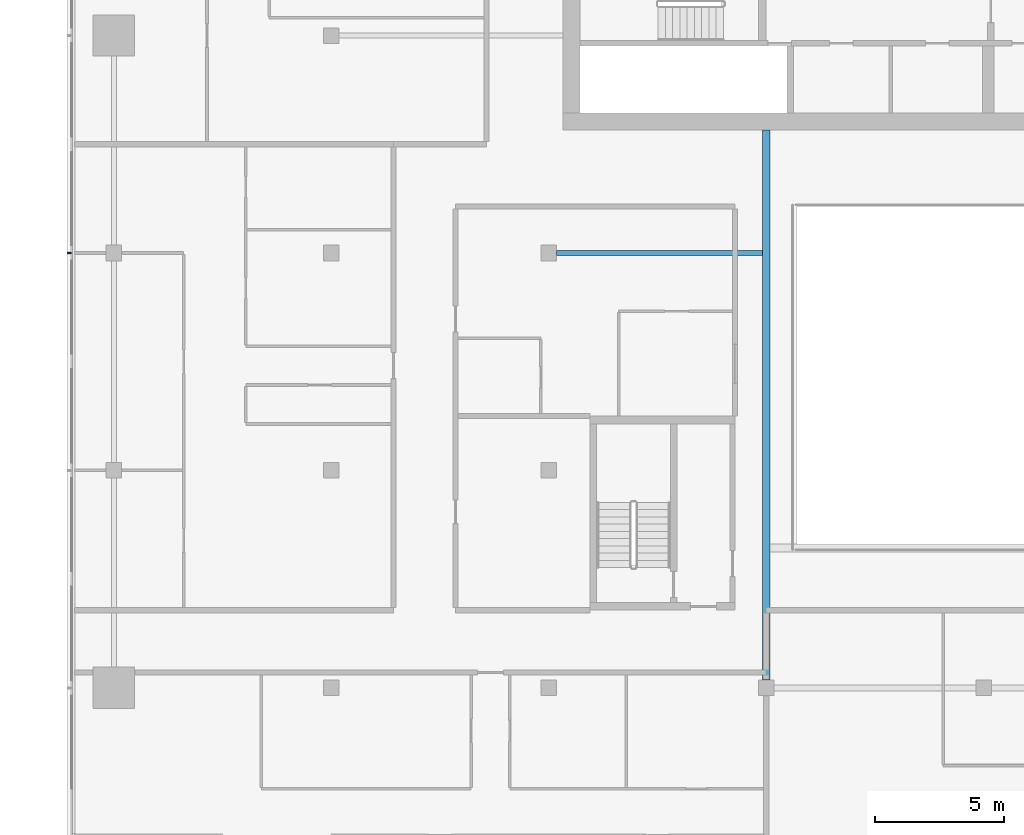
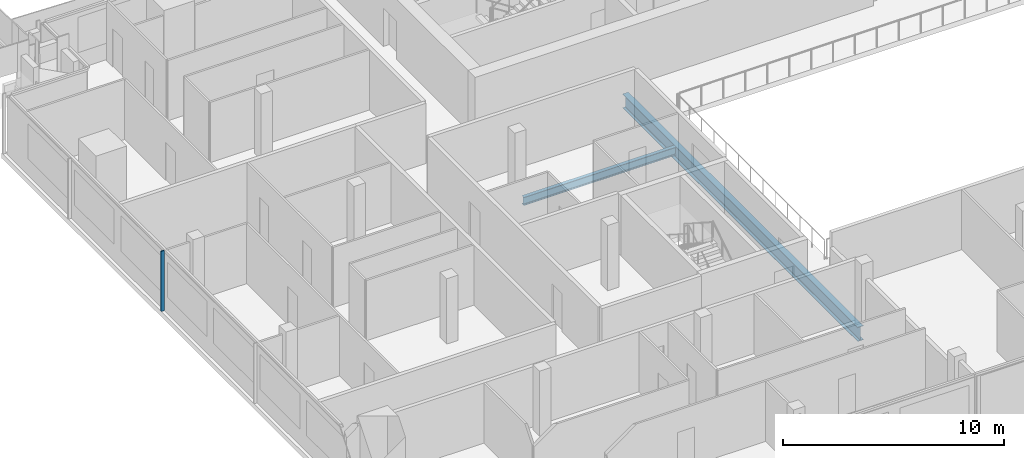
# One storey, part 6 of 30: 2 beams, 1 member, 1 element without a shape of its own.
"""IFC4 building model written with IfcOpenShell, lengths in metres."""

from ifc_helpers import new_model, si_unit, direction, frame, origin, origin_2d, place, context, subcontext, project, spatial, rectangle, i_section, extrude, material, material_profile, profile_set, type_object, element, aggregate, save


model = new_model("IFC4")

# Units and contexts
model_context = context("Model", 3, precision=1e-05, world=origin(), true_north=direction((0.0, 1.0)))
body_context = subcontext(model_context, "Body", "Model", "MODEL_VIEW")
ifc_project = project(units=[si_unit("LENGTHUNIT", "METRE"), si_unit("AREAUNIT", "SQUARE_METRE"), si_unit("VOLUMEUNIT", "CUBIC_METRE"), si_unit("PLANEANGLEUNIT", "RADIAN"), si_unit("MASSUNIT", "GRAM", prefix="KILO")], contexts=[model_context])

# Site, building, storey
site_placement = place(None, origin())
site = spatial("IfcSite", under=ifc_project, at=site_placement, CompositionType="ELEMENT")
building_placement = place(site_placement, origin())
building = spatial("IfcBuilding", under=site, at=building_placement, Name="Saffron Gate Tower", CompositionType="ELEMENT")
storey_placement = place(building_placement, frame((0.0, 0.0, 237.89990234375)))
storey = spatial("IfcBuildingStorey", under=building, at=storey_placement, Name="L58", CompositionType="ELEMENT", Elevation=237.89990234375)

# Beams
ifc_material_1 = material(Name="Structural steel S355", Category="steel")
ifc_material_profile_1 = material_profile(ifc_material_1, i_section(OverallWidth=0.300048828125, OverallDepth=0.7900390625, WebThickness=0.014892578125, FlangeThickness=0.028076171875, FilletRadius=0.030029296875, at=origin_2d()))
ifc_profile_set_1 = profile_set([ifc_material_profile_1], Name="Structural steel S355")
beam_type_1 = type_object("IfcBeamType", Name="B18 HEA 800", PredefinedType="BEAM", material=ifc_profile_set_1)
beam_1_placement = place(storey_placement, frame((75.0, 40.5, -0.6748046875), z_axis=(0.0, 1.0, 0.0), x_axis=(-1.0, 0.0, 0.0)))
element("IfcBeam", 1, at=beam_1_placement, inside=storey, type_object=beam_type_1, Name="B18 ATRIUM GIRDER", PredefinedType="BEAM", context=body_context, shape_type="SweptSolid", body=[
    extrude(i_section(OverallWidth=0.300048828125, OverallDepth=0.7900390625, WebThickness=0.014892578125, FlangeThickness=0.028076171875, FilletRadius=0.030029296875, at=origin_2d()), origin(), (0.0, 0.0, 1.0), 21.25),
])
ifc_material_profile_2 = material_profile(ifc_material_1, i_section(OverallWidth=0.18994140625, OverallDepth=0.449951171875, WebThickness=0.009521484375, FlangeThickness=0.0146484375, FilletRadius=0.02099609375, at=origin_2d()))
ifc_profile_set_2 = profile_set([ifc_material_profile_2], Name="Structural steel S355")
beam_type_2 = type_object("IfcBeamType", Name="B6 IPE 450", PredefinedType="BEAM", material=ifc_profile_set_2)
beam_2_placement = place(storey_placement, frame((66.89990234375, 57.0, -0.5048828125), z_axis=(1.0, 0.0, 0.0), x_axis=(0.0, 1.0, 0.0)))
element("IfcBeam", 2, at=beam_2_placement, inside=storey, type_object=beam_type_2, Name="B6 CORE TIE BEAM", PredefinedType="BEAM", context=body_context, shape_type="SweptSolid", body=[
    extrude(i_section(OverallWidth=0.18994140625, OverallDepth=0.449951171875, WebThickness=0.009521484375, FlangeThickness=0.0146484375, FilletRadius=0.02099609375, at=origin_2d()), origin(), (0.0, 0.0, 1.0), 7.9501953125),
])

# Curtain wall, member
ifc_material_2 = material(Name="Aluminium, bronze anodised", Category="aluminium")
curtain_wall_type = type_object("IfcCurtainWallType", Name="CWS2 curtain wall side facades", PredefinedType="NOTDEFINED", material=ifc_material_2)
curtain_wall_placement = place(storey_placement, origin())
curtain_wall = element("IfcCurtainWall", 3, at=curtain_wall_placement, inside=storey, type_object=curtain_wall_type, Name="CWS2 run 10", PredefinedType="NOTDEFINED")
ifc_material_profile_3 = material_profile(ifc_material_2, rectangle(XDim=0.159912109375, YDim=0.06005859375, at=origin_2d()))
ifc_profile_set_3 = profile_set([ifc_material_profile_3], Name="Aluminium, bronze anodised")
member_type = type_object("IfcMemberType", Name="CWS2 mullion 60x160", PredefinedType="MULLION", material=ifc_profile_set_3)
member_placement = place(storey_placement, frame((48.080078125, 57.0, 0.0), z_axis=(0.0, 0.0, 1.0), x_axis=(1.0, 0.0, 0.0)))
member = element("IfcMember", 4, at=member_placement, type_object=member_type, Name="CWS2 mullion 3", PredefinedType="MULLION", context=body_context, shape_type="SweptSolid", body=[
    extrude(rectangle(XDim=0.159912109375, YDim=0.06005859375, at=origin_2d()), origin(), (0.0, 0.0, 1.0), 3.320068359375),
])
aggregate(curtain_wall, [member])

save(model, "model.ifc")
